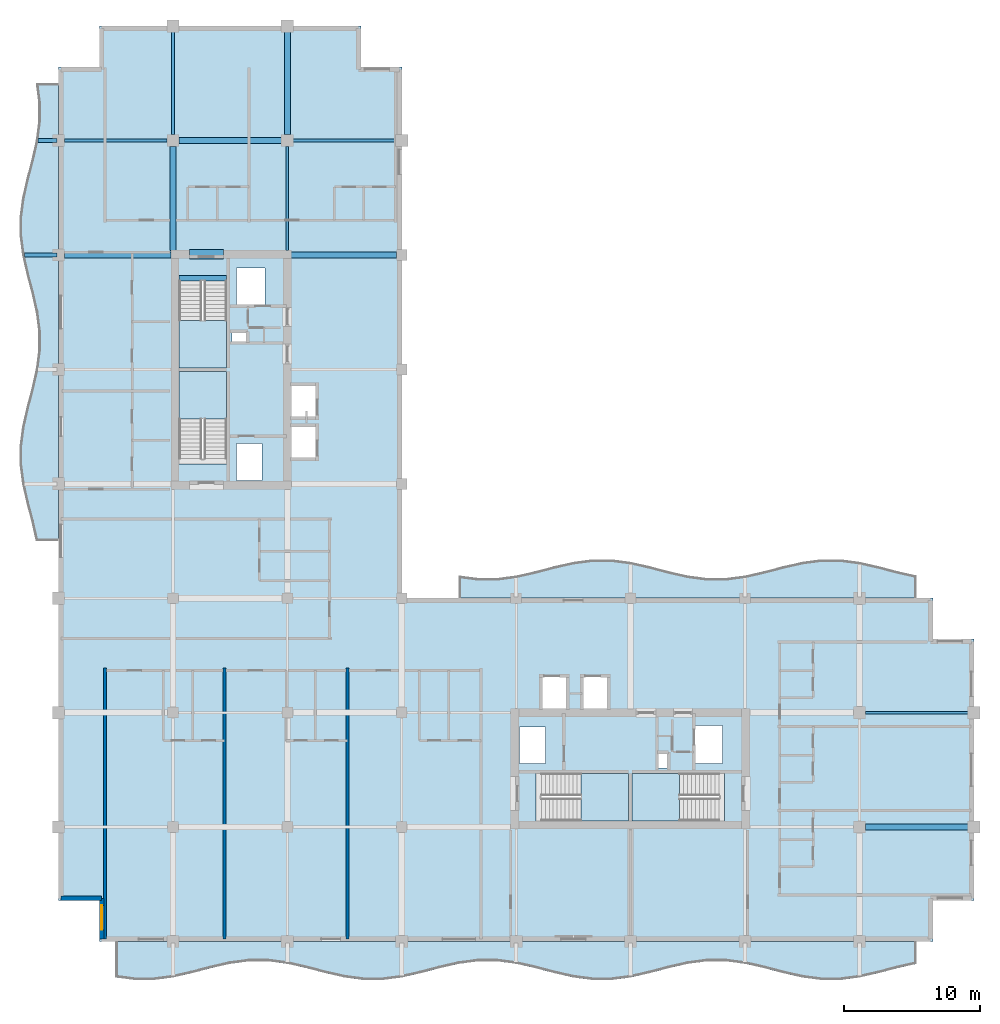
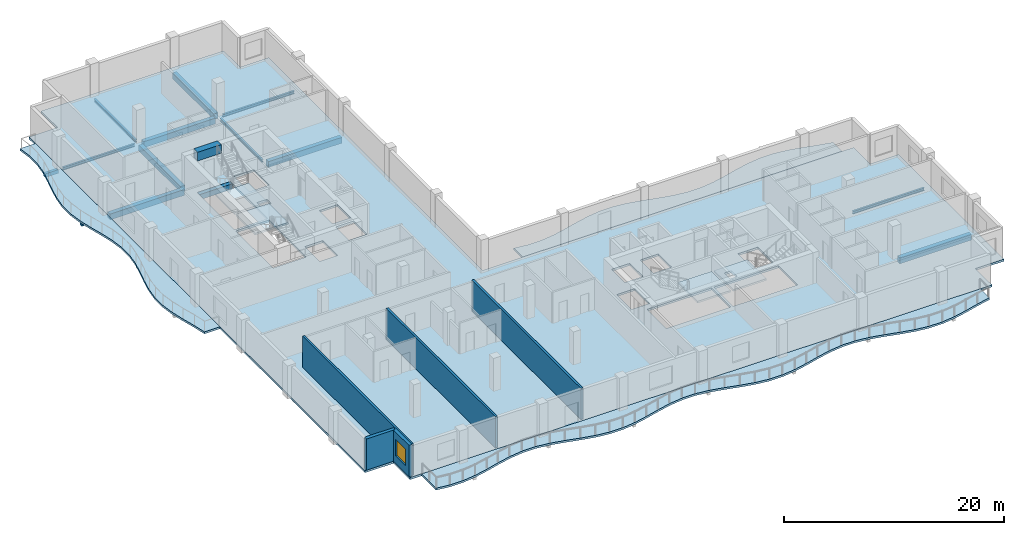
# One storey, part 2 of 12: 15 beams, 8 slabs, 5 walls, 1 window, 1 opening, 4 elements without a shape of their own.
"""IFC4 building model written with IfcOpenShell, lengths in metres."""

from ifc_helpers import new_model, si_unit, direction, frame, frame_2d, origin, origin_2d, place, context, subcontext, project, spatial, polyline, rectangle, i_section, outline, extrude, material, layer, layer_set, material_profile, profile_set, type_object, element, fill, aggregate, save


model = new_model("IFC4")

# Units and contexts
model_context = context("Model", 3, precision=1e-05, world=origin(), true_north=direction((0.0, 1.0)))
body_context = subcontext(model_context, "Body", "Model", "MODEL_VIEW")
ifc_project = project(units=[si_unit("LENGTHUNIT", "METRE"), si_unit("AREAUNIT", "SQUARE_METRE"), si_unit("VOLUMEUNIT", "CUBIC_METRE"), si_unit("PLANEANGLEUNIT", "RADIAN"), si_unit("MASSUNIT", "GRAM", prefix="KILO")], contexts=[model_context])

# Site, building, storey
site_placement = place(None, origin())
site = spatial("IfcSite", under=ifc_project, at=site_placement, CompositionType="ELEMENT")
building_placement = place(site_placement, origin())
building = spatial("IfcBuilding", under=site, at=building_placement, Name="Koriwani Terraces Tower", CompositionType="ELEMENT")
storey_placement = place(building_placement, frame((0.0, 0.0, 241.60009765625)))
storey = spatial("IfcBuildingStorey", under=building, at=storey_placement, Name="L59", CompositionType="ELEMENT", Elevation=241.60009765625)

# Beams
ifc_material_1 = material(Name="Concrete C40/50", Category="concrete")
ifc_material_profile_1 = material_profile(ifc_material_1, rectangle(XDim=0.300048828125, YDim=0.39990234375, at=origin_2d()), Name="Concrete C40/50", Category="LoadBearing")
ifc_profile_set_1 = profile_set([ifc_material_profile_1], Name="Concrete C40/50")
beam_type_1 = type_object("IfcBeamType", Name="BEAM_RC_BALCONY_RIB_300X400", PredefinedType="JOIST", material=ifc_profile_set_1)
beam_1_placement = place(storey_placement, frame((5.907958984375, 58.800048828125, -0.43017578125), z_axis=(1.0, 0.0, 0.0), x_axis=(0.0, 1.0, 0.0)))
element("IfcBeam", 1, at=beam_1_placement, inside=storey, type_object=beam_type_1, Name="L59 Balcony Bracket Rib W-3", PredefinedType="JOIST", context=body_context, shape_type="SweptSolid", body=[
    extrude(rectangle(XDim=0.300048828125, YDim=0.39990234375, at=origin_2d()), origin(), (0.0, 0.0, 1.0), 2.39208984375),
])
beam_2_placement = place(storey_placement, frame((6.912109375, 67.199951171875, -0.43017578125), z_axis=(1.0, 0.0, 0.0), x_axis=(0.0, 1.0, 0.0)))
element("IfcBeam", 2, at=beam_2_placement, inside=storey, type_object=beam_type_1, Name="L59 Balcony Bracket Rib W-4", PredefinedType="JOIST", context=body_context, shape_type="SweptSolid", body=[
    extrude(rectangle(XDim=0.300048828125, YDim=0.39990234375, at=origin_2d()), origin(), (0.0, 0.0, 1.0), 1.387939453125),
])
ifc_material_2 = material(Name="Concrete C60/75", Category="concrete")
ifc_material_profile_2 = material_profile(ifc_material_2, rectangle(XDim=0.699951171875, YDim=0.949951171875, at=origin_2d()), Name="Concrete C60/75", Category="LoadBearing")
ifc_profile_set_2 = profile_set([ifc_material_profile_2], Name="Concrete C60/75")
beam_type_2 = type_object("IfcBeamType", Name="BEAM_RC_COUPLING_700X950", PredefinedType="LINTEL", material=ifc_profile_set_2)
beam_3_placement = place(storey_placement, frame((18.0, 58.85009765625, 2.994873046875), z_axis=(1.0, 0.0, 0.0), x_axis=(0.0, 1.0, 0.0)))
element("IfcBeam", 3, at=beam_3_placement, inside=storey, type_object=beam_type_2, Name="L59 Core Coupling Lintel Beam WN", PredefinedType="LINTEL", context=body_context, shape_type="SweptSolid", body=[
    extrude(rectangle(XDim=0.699951171875, YDim=0.949951171875, at=origin_2d()), origin(), (0.0, 0.0, 1.0), 2.5),
])
ifc_material_profile_3 = material_profile(ifc_material_1, rectangle(XDim=0.39990234375, YDim=0.60009765625, at=origin_2d()), Name="Concrete C40/50", Category="LoadBearing")
ifc_profile_set_3 = profile_set([ifc_material_profile_3], Name="Concrete C40/50")
beam_type_3 = type_object("IfcBeamType", Name="BEAM_RC_GRID_400X600", PredefinedType="BEAM", material=ifc_profile_set_3)
beam_4_placement = place(storey_placement, frame((17.25, 57.094970703125, -0.300048828125), z_axis=(1.0, 0.0, 0.0), x_axis=(0.0, 1.0, 0.0)))
element("IfcBeam", 4, at=beam_4_placement, inside=storey, type_object=beam_type_3, Name="L59 Stairwell Header Trimmer Beam ST-W2", PredefinedType="BEAM", context=body_context, shape_type="SweptSolid", body=[
    extrude(rectangle(XDim=0.39990234375, YDim=0.60009765625, at=origin_2d()), origin(), (0.0, 0.0, 1.0), 3.5),
])
ifc_material_3 = material(Name="Concrete C50/60", Category="concrete")
ifc_material_profile_4 = material_profile(ifc_material_3, rectangle(XDim=0.449951171875, YDim=0.64990234375, at=origin_2d()), Name="Concrete C50/60", Category="LoadBearing")
ifc_profile_set_4 = profile_set([ifc_material_profile_4], Name="Concrete C50/60")
beam_type_4 = type_object("IfcBeamType", Name="BEAM_RC_GRID_450X650", PredefinedType="BEAM", material=ifc_profile_set_4)
beam_5_placement = place(storey_placement, frame((67.6298828125, 16.800048828125, -0.55517578125), z_axis=(1.0, 0.0, 0.0), x_axis=(0.0, 1.0, 0.0)))
element("IfcBeam", 5, at=beam_5_placement, inside=storey, type_object=beam_type_4, Name="L59 Grid Beam C (67.2-75.6m)", PredefinedType="BEAM", context=body_context, shape_type="SweptSolid", body=[
    extrude(rectangle(XDim=0.449951171875, YDim=0.64990234375, at=origin_2d()), origin(), (0.0, 0.0, 1.0), 7.5400390625),
])
beam_6_placement = place(storey_placement, frame((8.830078125, 58.800048828125, -0.55517578125), z_axis=(1.0, 0.0, 0.0), x_axis=(0.0, 1.0, 0.0)))
element("IfcBeam", 6, at=beam_6_placement, inside=storey, type_object=beam_type_4, Name="L59 Grid Beam H (8.4-16.8m)", PredefinedType="BEAM", context=body_context, shape_type="SweptSolid", body=[
    extrude(rectangle(XDim=0.449951171875, YDim=0.64990234375, at=origin_2d()), origin(), (0.0, 0.0, 1.0), 7.83984375),
])
beam_7_placement = place(storey_placement, frame((25.47998046875, 58.800048828125, -0.55517578125), z_axis=(1.0, 0.0, 0.0), x_axis=(0.0, 1.0, 0.0)))
element("IfcBeam", 7, at=beam_7_placement, inside=storey, type_object=beam_type_4, Name="L59 Grid Beam H (25.2-33.6m)", PredefinedType="BEAM", context=body_context, shape_type="SweptSolid", body=[
    extrude(rectangle(XDim=0.449951171875, YDim=0.64990234375, at=origin_2d()), origin(), (0.0, 0.0, 1.0), 7.739990234375),
])
beam_8_placement = place(storey_placement, frame((17.22998046875, 67.199951171875, -0.55517578125), z_axis=(1.0, 0.0, 0.0), x_axis=(0.0, 1.0, 0.0)))
element("IfcBeam", 8, at=beam_8_placement, inside=storey, type_object=beam_type_4, Name="L59 Grid Beam I (16.8-25.2m)", PredefinedType="BEAM", context=body_context, shape_type="SweptSolid", body=[
    extrude(rectangle(XDim=0.449951171875, YDim=0.64990234375, at=origin_2d()), origin(), (0.0, 0.0, 1.0), 7.5400390625),
])
beam_9_placement = place(storey_placement, frame((16.800048828125, 59.1298828125, -0.55517578125), z_axis=(0.0, 1.0, 0.0), x_axis=(-1.0, 0.0, 0.0)))
element("IfcBeam", 9, at=beam_9_placement, inside=storey, type_object=beam_type_4, Name="L59 Grid Beam 3 (58.8-67.2m)", PredefinedType="BEAM", context=body_context, shape_type="SweptSolid", body=[
    extrude(rectangle(XDim=0.449951171875, YDim=0.64990234375, at=origin_2d()), origin(), (0.0, 0.0, 1.0), 7.64013671875),
])
beam_10_placement = place(storey_placement, frame((25.199951171875, 67.6298828125, -0.55517578125), z_axis=(0.0, 1.0, 0.0), x_axis=(-1.0, 0.0, 0.0)))
element("IfcBeam", 10, at=beam_10_placement, inside=storey, type_object=beam_type_4, Name="L59 Grid Beam 4 (67.2-75.6m)", PredefinedType="BEAM", context=body_context, shape_type="SweptSolid", body=[
    extrude(rectangle(XDim=0.449951171875, YDim=0.64990234375, at=origin_2d()), origin(), (0.0, 0.0, 1.0), 7.5400390625),
])
ifc_material_4 = material(Name="Steel ASTM A572 Grade 50", Category="steel")
ifc_material_profile_5 = material_profile(ifc_material_4, i_section(OverallWidth=0.205078125, OverallDepth=0.31005859375, WebThickness=0.009521484375, FlangeThickness=0.016357421875, at=origin_2d()), Name="Steel ASTM A572 Grade 50", Category="LoadBearing")
ifc_profile_set_5 = profile_set([ifc_material_profile_5], Name="Steel ASTM A572 Grade 50")
beam_type_5 = type_object("IfcBeamType", Name="STEEL_BEAM_W310X74", PredefinedType="JOIST", material=ifc_profile_set_5)
for number, where, z_axis, x_axis, name in (
    (11, (67.6298828125, 25.199951171875, -0.385009765625), (1.0, 0.0, 0.0), (0.0, 1.0, 0.0), "L59 Grid Beam D (67.2-75.6m)"),
    (12, (8.830078125, 67.199951171875, -0.385009765625), (1.0, 0.0, 0.0), (0.0, 1.0, 0.0), "L59 Grid Beam I (8.4-16.8m)"),
    (13, (25.6298828125, 67.199951171875, -0.385009765625), (1.0, 0.0, 0.0), (0.0, 1.0, 0.0), "L59 Grid Beam I (25.2-33.6m)"),
    (14, (16.800048828125, 67.6298828125, -0.385009765625), (0.0, 1.0, 0.0), (-1.0, 0.0, 0.0), "L59 Grid Beam 3 (67.2-75.6m)"),
):
    element("IfcBeam", number, at=place(storey_placement, frame(where, z_axis=z_axis, x_axis=x_axis)), inside=storey, type_object=beam_type_5, Name=name, PredefinedType="JOIST", context=body_context, shape_type="SweptSolid", body=[
        extrude(i_section(OverallWidth=0.205078125, OverallDepth=0.31005859375, WebThickness=0.009521484375, FlangeThickness=0.016357421875, at=origin_2d()), origin(), (0.0, 0.0, 1.0), 7.5400390625),
    ])
beam_11_placement = place(storey_placement, frame((25.199951171875, 59.1298828125, -0.385009765625), z_axis=(0.0, 1.0, 0.0), x_axis=(-1.0, 0.0, 0.0)))
element("IfcBeam", 15, at=beam_11_placement, inside=storey, type_object=beam_type_5, Name="L59 Grid Beam 4 (58.8-67.2m)", PredefinedType="JOIST", context=body_context, shape_type="SweptSolid", body=[
    extrude(i_section(OverallWidth=0.205078125, OverallDepth=0.31005859375, WebThickness=0.009521484375, FlangeThickness=0.016357421875, at=origin_2d()), origin(), (0.0, 0.0, 1.0), 7.64013671875),
])

# Slabs
ifc_layer_1 = layer(ifc_material_1, 0.219970703125, Name="Concrete C40/50")
ifc_layer_set_1 = layer_set([ifc_layer_1], Name="Concrete C40/50")
slab_type_1 = type_object("IfcSlabType", Name="SLAB_BALCONY_220", PredefinedType="FLOOR", material=ifc_layer_set_1)
slab_1_placement = place(storey_placement, frame((0.0, 0.0, -0.22021484375)))
element("IfcSlab", 16, at=slab_1_placement, inside=storey, type_object=slab_type_1, Name="L59 Quilted Circular-Arc Balcony (S)", PredefinedType="FLOOR", context=body_context, shape_type="SweptSolid", body=[
    extrude(outline(polyline([(12.60009765625, 8.39990234375), (14.0, 8.39990234375), (15.39990234375, 8.39990234375), (16.800048828125, 8.39990234375), (18.199951171875, 8.39990234375), (19.60009765625, 8.39990234375), (21.0, 8.39990234375), (22.39990234375, 8.39990234375), (23.800048828125, 8.39990234375), (25.199951171875, 8.39990234375), (26.60009765625, 8.39990234375), (28.0, 8.39990234375), (29.39990234375, 8.39990234375), (30.800048828125, 8.39990234375), (32.199951171875, 8.39990234375), (33.60009765625, 8.39990234375), (35.0, 8.39990234375), (36.39990234375, 8.39990234375), (37.800048828125, 8.39990234375), (39.199951171875, 8.39990234375), (40.60009765625, 8.39990234375), (42.0, 8.39990234375), (43.39990234375, 8.39990234375), (44.800048828125, 8.39990234375), (46.199951171875, 8.39990234375), (47.60009765625, 8.39990234375), (49.0, 8.39990234375), (50.39990234375, 8.39990234375), (51.800048828125, 8.39990234375), (53.199951171875, 8.39990234375), (54.60009765625, 8.39990234375), (56.0, 8.39990234375), (57.39990234375, 8.39990234375), (58.800048828125, 8.39990234375), (60.199951171875, 8.39990234375), (61.60009765625, 8.39990234375), (63.0, 8.39990234375), (64.39990234375, 8.39990234375), (65.800048828125, 8.39990234375), (67.199951171875, 8.39990234375), (68.60009765625, 8.39990234375), (70.0, 8.39990234375), (71.39990234375, 8.39990234375), (71.39990234375, 6.761962890625), (70.0, 6.44384765625), (68.60009765625, 6.076171875), (67.199951171875, 5.758056640625), (65.800048828125, 5.57421875), (64.39990234375, 5.57421875), (63.0, 5.758056640625), (61.60009765625, 6.076171875), (60.199951171875, 6.44384765625), (58.800048828125, 6.761962890625), (57.39990234375, 6.94580078125), (56.0, 6.94580078125), (54.60009765625, 6.761962890625), (53.199951171875, 6.44384765625), (51.800048828125, 6.076171875), (50.39990234375, 5.758056640625), (49.0, 5.57421875), (47.60009765625, 5.57421875), (46.199951171875, 5.758056640625), (44.800048828125, 6.076171875), (43.39990234375, 6.44384765625), (42.0, 6.761962890625), (40.60009765625, 6.94580078125), (39.199951171875, 6.94580078125), (37.800048828125, 6.761962890625), (36.39990234375, 6.44384765625), (35.0, 6.076171875), (33.60009765625, 5.758056640625), (32.199951171875, 5.57421875), (30.800048828125, 5.57421875), (29.39990234375, 5.758056640625), (28.0, 6.076171875), (26.60009765625, 6.44384765625), (25.199951171875, 6.761962890625), (23.800048828125, 6.94580078125), (22.39990234375, 6.94580078125), (21.0, 6.761962890625), (19.60009765625, 6.44384765625), (18.199951171875, 6.076171875), (16.800048828125, 5.758056640625), (15.39990234375, 5.57421875), (14.0, 5.57421875), (12.60009765625, 5.758056640625), (12.60009765625, 8.39990234375)])), origin(), (0.0, 0.0, 1.0), 0.22021484375),
])
slab_2_placement = place(storey_placement, frame((0.0, 0.0, -0.22021484375)))
element("IfcSlab", 17, at=slab_2_placement, inside=storey, type_object=slab_type_1, Name="L59 Quilted Circular-Arc Balcony (W)", PredefinedType="FLOOR", context=body_context, shape_type="SweptSolid", body=[
    extrude(outline(polyline([(8.39990234375, 37.800048828125), (8.39990234375, 39.199951171875), (8.39990234375, 40.60009765625), (8.39990234375, 42.0), (8.39990234375, 43.39990234375), (8.39990234375, 44.800048828125), (8.39990234375, 46.199951171875), (8.39990234375, 47.60009765625), (8.39990234375, 49.0), (8.39990234375, 50.39990234375), (8.39990234375, 51.800048828125), (8.39990234375, 53.199951171875), (8.39990234375, 54.60009765625), (8.39990234375, 56.0), (8.39990234375, 57.39990234375), (8.39990234375, 58.800048828125), (8.39990234375, 60.199951171875), (8.39990234375, 61.60009765625), (8.39990234375, 63.0), (8.39990234375, 64.39990234375), (8.39990234375, 65.800048828125), (8.39990234375, 67.199951171875), (8.39990234375, 68.60009765625), (8.39990234375, 70.0), (8.39990234375, 71.39990234375), (6.761962890625, 71.39990234375), (6.94580078125, 70.0), (6.94580078125, 68.60009765625), (6.761962890625, 67.199951171875), (6.44384765625, 65.800048828125), (6.076171875, 64.39990234375), (5.758056640625, 63.0), (5.57421875, 61.60009765625), (5.57421875, 60.199951171875), (5.758056640625, 58.800048828125), (6.076171875, 57.39990234375), (6.44384765625, 56.0), (6.761962890625, 54.60009765625), (6.94580078125, 53.199951171875), (6.94580078125, 51.800048828125), (6.761962890625, 50.39990234375), (6.44384765625, 49.0), (6.076171875, 47.60009765625), (5.758056640625, 46.199951171875), (5.57421875, 44.800048828125), (5.57421875, 43.39990234375), (5.758056640625, 42.0), (6.076171875, 40.60009765625), (6.44384765625, 39.199951171875), (6.761962890625, 37.800048828125), (8.39990234375, 37.800048828125)])), origin(), (0.0, 0.0, 1.0), 0.22021484375),
])
slab_3_placement = place(storey_placement, frame((0.0, 0.0, -0.22021484375)))
element("IfcSlab", 18, at=slab_3_placement, inside=storey, type_object=slab_type_1, Name="L59 Quilted Circular-Arc Balcony (NE)", PredefinedType="FLOOR", context=body_context, shape_type="SweptSolid", body=[
    extrude(outline(polyline([(71.39990234375, 33.60009765625), (70.0, 33.60009765625), (68.60009765625, 33.60009765625), (67.199951171875, 33.60009765625), (65.800048828125, 33.60009765625), (64.39990234375, 33.60009765625), (63.0, 33.60009765625), (61.60009765625, 33.60009765625), (60.199951171875, 33.60009765625), (58.800048828125, 33.60009765625), (57.39990234375, 33.60009765625), (56.0, 33.60009765625), (54.60009765625, 33.60009765625), (53.199951171875, 33.60009765625), (51.800048828125, 33.60009765625), (50.39990234375, 33.60009765625), (49.0, 33.60009765625), (47.60009765625, 33.60009765625), (46.199951171875, 33.60009765625), (44.800048828125, 33.60009765625), (43.39990234375, 33.60009765625), (42.0, 33.60009765625), (40.60009765625, 33.60009765625), (39.199951171875, 33.60009765625), (37.800048828125, 33.60009765625), (37.800048828125, 35.238037109375), (39.199951171875, 35.05419921875), (40.60009765625, 35.05419921875), (42.0, 35.238037109375), (43.39990234375, 35.55615234375), (44.800048828125, 35.923828125), (46.199951171875, 36.241943359375), (47.60009765625, 36.42578125), (49.0, 36.42578125), (50.39990234375, 36.241943359375), (51.800048828125, 35.923828125), (53.199951171875, 35.55615234375), (54.60009765625, 35.238037109375), (56.0, 35.05419921875), (57.39990234375, 35.05419921875), (58.800048828125, 35.238037109375), (60.199951171875, 35.55615234375), (61.60009765625, 35.923828125), (63.0, 36.241943359375), (64.39990234375, 36.42578125), (65.800048828125, 36.42578125), (67.199951171875, 36.241943359375), (68.60009765625, 35.923828125), (70.0, 35.55615234375), (71.39990234375, 35.238037109375), (71.39990234375, 33.60009765625)])), origin(), (0.0, 0.0, 1.0), 0.22021484375),
])
ifc_layer_2 = layer(ifc_material_1, 0.22998046875, Name="Concrete C40/50")
ifc_layer_set_2 = layer_set([ifc_layer_2], Name="Concrete C40/50")
slab_type_2 = type_object("IfcSlabType", Name="SLAB_RES_TYP_230", PredefinedType="FLOOR", material=ifc_layer_set_2)
slab_4_placement = place(storey_placement, frame((0.0, 0.0, -0.22998046875)))
element("IfcSlab", 19, at=slab_4_placement, inside=storey, type_object=slab_type_2, Name="L59 Structural Floor Slab", PredefinedType="FLOOR", context=body_context, shape_type="SweptSolid", body=[
    extrude(outline(polyline([(11.39990234375, 8.39990234375), (72.60009765625, 8.39990234375), (72.60009765625, 11.39990234375), (75.60009765625, 11.39990234375), (75.60009765625, 30.60009765625), (72.60009765625, 30.60009765625), (72.60009765625, 33.60009765625), (33.60009765625, 33.60009765625), (33.60009765625, 72.60009765625), (30.60009765625, 72.60009765625), (30.60009765625, 75.60009765625), (11.39990234375, 75.60009765625), (11.39990234375, 72.60009765625), (8.39990234375, 72.60009765625), (8.39990234375, 11.39990234375), (11.39990234375, 11.39990234375), (11.39990234375, 8.39990234375)]), holes=[polyline([(17.25, 43.4599609375), (20.75, 43.4599609375), (20.75, 50.25), (17.25, 50.25), (17.25, 43.4599609375)]), polyline([(17.25, 50.5), (20.75, 50.5), (20.75, 57.2900390625), (17.25, 57.2900390625), (17.25, 50.5)]), polyline([(43.4599609375, 17.25), (50.25, 17.25), (50.25, 20.75), (43.4599609375, 20.75), (43.4599609375, 17.25)]), polyline([(50.5, 17.25), (57.2900390625, 17.25), (57.2900390625, 20.75), (50.5, 20.75), (50.5, 17.25)]), polyline([(25.449951171875, 43.85009765625), (27.35009765625, 43.85009765625), (27.35009765625, 46.25), (25.449951171875, 46.25), (25.449951171875, 43.85009765625)]), polyline([(25.449951171875, 46.85009765625), (27.35009765625, 46.85009765625), (27.35009765625, 49.25), (25.449951171875, 49.25), (25.449951171875, 46.85009765625)]), polyline([(43.85009765625, 25.449951171875), (45.75, 25.449951171875), (45.75, 27.85009765625), (43.85009765625, 27.85009765625), (43.85009765625, 25.449951171875)]), polyline([(46.85009765625, 25.449951171875), (48.75, 25.449951171875), (48.75, 27.85009765625), (46.85009765625, 27.85009765625), (46.85009765625, 25.449951171875)]), polyline([(21.449951171875, 55.050048828125), (23.550048828125, 55.050048828125), (23.550048828125, 57.85009765625), (21.449951171875, 57.85009765625), (21.449951171875, 55.050048828125)]), polyline([(55.050048828125, 21.449951171875), (57.14990234375, 21.449951171875), (57.14990234375, 24.25), (55.050048828125, 24.25), (55.050048828125, 21.449951171875)]), polyline([(21.449951171875, 42.25), (23.35009765625, 42.25), (23.35009765625, 44.949951171875), (21.449951171875, 44.949951171875), (21.449951171875, 42.25)]), polyline([(42.25, 21.449951171875), (44.14990234375, 21.449951171875), (44.14990234375, 24.14990234375), (42.25, 24.14990234375), (42.25, 21.449951171875)]), polyline([(21.14990234375, 52.419921875), (22.219970703125, 52.419921875), (22.219970703125, 53.179931640625), (21.14990234375, 53.179931640625), (21.14990234375, 52.419921875)]), polyline([(52.419921875, 21.14990234375), (53.179931640625, 21.14990234375), (53.179931640625, 22.219970703125), (52.419921875, 22.219970703125), (52.419921875, 21.14990234375)])]), origin(), (0.0, 0.0, 1.0), 0.22998046875),
])

# Stair, slab
stair_type = type_object("IfcStairType", Name="STAIR_CORE_DOGLEG_1650", PredefinedType="TWO_STRAIGHT_RUN_STAIR", material=ifc_material_1)
stair_1_placement = place(storey_placement, origin())
stair_1 = element("IfcStair", 20, at=stair_1_placement, inside=storey, type_object=stair_type, Name="L59 West Core Exit Stair 1", PredefinedType="HALF_TURN_STAIR")
ifc_layer_3 = layer(ifc_material_1, 0.199951171875, Name="Concrete C40/50")
ifc_layer_set_3 = layer_set([ifc_layer_3], Name="Concrete C40/50")
slab_type_3 = type_object("IfcSlabType", Name="SLAB_STAIR_LANDING_200", PredefinedType="LANDING", material=ifc_layer_set_3)
slab_5_placement = place(storey_placement, frame((0.0, 0.0, 1.64990234375)))
slab_5 = element("IfcSlab", 21, at=slab_5_placement, type_object=slab_type_3, Name="ST-W1 landing 1", PredefinedType="LANDING", context=body_context, shape_type="SweptSolid", body=[
    extrude(outline(polyline([(20.75, 46.75), (20.75, 50.25), (17.25, 50.25), (17.25, 46.75), (20.75, 46.75)])), origin(), (0.0, 0.0, 1.0), 0.199951171875),
])
aggregate(stair_1, [slab_5])

stair_2_placement = place(storey_placement, origin())
stair_2 = element("IfcStair", 22, at=stair_2_placement, inside=storey, type_object=stair_type, Name="L59 West Core Exit Stair 2", PredefinedType="HALF_TURN_STAIR")
slab_6_placement = place(storey_placement, frame((0.0, 0.0, 1.64990234375)))
slab_6 = element("IfcSlab", 23, at=slab_6_placement, type_object=slab_type_3, Name="ST-W2 landing 1", PredefinedType="LANDING", context=body_context, shape_type="SweptSolid", body=[
    extrude(outline(polyline([(17.25, 54.0), (17.25, 50.5), (20.75, 50.5), (20.75, 54.0), (17.25, 54.0)])), origin(), (0.0, 0.0, 1.0), 0.199951171875),
])
aggregate(stair_2, [slab_6])

stair_3_placement = place(storey_placement, origin())
stair_3 = element("IfcStair", 24, at=stair_3_placement, inside=storey, type_object=stair_type, Name="L59 East Core Exit Stair 1", PredefinedType="HALF_TURN_STAIR")
slab_7_placement = place(storey_placement, frame((0.0, 0.0, 1.64990234375)))
slab_7 = element("IfcSlab", 25, at=slab_7_placement, type_object=slab_type_3, Name="ST-E1 landing 1", PredefinedType="LANDING", context=body_context, shape_type="SweptSolid", body=[
    extrude(outline(polyline([(46.75, 17.25), (50.25, 17.25), (50.25, 20.75), (46.75, 20.75), (46.75, 17.25)])), origin(), (0.0, 0.0, 1.0), 0.199951171875),
])
aggregate(stair_3, [slab_7])

stair_4_placement = place(storey_placement, origin())
stair_4 = element("IfcStair", 26, at=stair_4_placement, inside=storey, type_object=stair_type, Name="L59 East Core Exit Stair 2", PredefinedType="HALF_TURN_STAIR")
slab_8_placement = place(storey_placement, frame((0.0, 0.0, 1.64990234375)))
slab_8 = element("IfcSlab", 27, at=slab_8_placement, type_object=slab_type_3, Name="ST-E2 landing 1", PredefinedType="LANDING", context=body_context, shape_type="SweptSolid", body=[
    extrude(outline(polyline([(54.0, 20.75), (50.5, 20.75), (50.5, 17.25), (54.0, 17.25), (54.0, 20.75)])), origin(), (0.0, 0.0, 1.0), 0.199951171875),
])
aggregate(stair_4, [slab_8])

# Walls
ifc_material_5 = material(Name="Autoclaved Cellular Concrete Blockwork", Category="masonry")
ifc_layer_4 = layer(ifc_material_5, 0.219970703125, Name="Autoclaved Cellular Concrete Blockwork")
ifc_layer_set_4 = layer_set([ifc_layer_4], Name="Autoclaved Cellular Concrete Blockwork")
wall_type_1 = type_object("IfcWallType", Name="WALL_DEMISING_220", PredefinedType="PARTITIONING", material=ifc_layer_set_4)
for number, where, z_axis, x_axis, name in (
    (28, (11.800048828125, 8.60009765625, 0.0), (0.0, 0.0, 1.0), (0.0, 1.0, 0.0), "L59 Interior Wall WRDEM-L59-SW-0"),
    (29, (20.60009765625, 8.60009765625, 0.0), (0.0, 0.0, 1.0), (0.0, 1.0, 0.0), "L59 Interior Wall WRDEM-L59-SW-1"),
    (30, (29.60009765625, 8.60009765625, 0.0), (0.0, 0.0, 1.0), (0.0, 1.0, 0.0), "L59 Interior Wall WRDEM-L59-SW-2"),
):
    element("IfcWall", number, at=place(storey_placement, frame(where, z_axis=z_axis, x_axis=x_axis)), inside=storey, type_object=wall_type_1, Name=name, PredefinedType="PARTITIONING", context=body_context, shape_type="SweptSolid", body=[
        extrude(rectangle(XDim=19.8798828125, YDim=0.219970703125, at=frame_2d((9.93994140625, 0.0))), origin(), (0.0, 0.0, 1.0), 3.469970703125),
    ])

# Wall, opening, window
ifc_layer_5 = layer(ifc_material_3, 0.35009765625, Name="Concrete C50/60")
ifc_layer_set_5 = layer_set([ifc_layer_5], Name="Concrete C50/60")
wall_type_2 = type_object("IfcWallType", Name="WALL_EXT_BRUTALIST_350", PredefinedType="STANDARD", material=ifc_layer_set_5)
wall_1_placement = place(storey_placement, frame((11.574951171875, 8.574951171875, 0.0), z_axis=(0.0, 0.0, 1.0), x_axis=(0.0, 1.0, 0.0)))
wall_1 = element("IfcWall", 31, at=wall_1_placement, inside=storey, type_object=wall_type_2, Name="L59 Fair-Faced Brutalist Exterior Wall (N0)", PredefinedType="STANDARD", context=body_context, shape_type="SweptSolid", body=[
    extrude(rectangle(XDim=3.0, YDim=0.35009765625, at=frame_2d((1.5, 0.0))), origin(), (0.0, 0.0, 1.0), 3.469970703125),
])
opening_placement = place(wall_1_placement, frame((0.677490234375, 0.0, 0.85009765625)))
opening = element("IfcOpeningElement", 32, at=opening_placement, cuts=wall_1, Name="Opening W-04", PredefinedType="OPENING", context=body_context, shape_type="SweptSolid", body=[
    extrude(rectangle(XDim=1.800048828125, YDim=1.800048828125, at=frame_2d((0.89990234375, 0.89990234375))), frame((0.0, 0.18505859375, 0.0), z_axis=(0.0, -1.0, 0.0), x_axis=(1.0, 0.0, 0.0)), (0.0, 0.0, 1.0), 0.3701171875),
])
ifc_material_6 = material(Name="Tempered Laminated Low-E Glass", Category="glass")
window_type = type_object("IfcWindowType", Name="WIN_RES_BED_1800X1800", PartitioningType="DOUBLE_PANEL_VERTICAL", PredefinedType="WINDOW", material=ifc_material_6)
window_placement = place(opening_placement, origin())
window = element("IfcWindow", 33, at=window_placement, inside=storey, type_object=window_type, Name="L59 Exterior Window (N0-R32)", OverallHeight=1.800048828125, OverallWidth=1.800048828125, PartitioningType="SINGLE_PANEL", PredefinedType="WINDOW", context=body_context, shape_type="SweptSolid", body=[
    extrude(rectangle(XDim=1.800048828125, YDim=1.800048828125, at=frame_2d((0.89990234375, 0.89990234375))), frame((0.0, 0.030029296875, 0.0), z_axis=(0.0, -1.0, 0.0), x_axis=(1.0, 0.0, 0.0)), (0.0, 0.0, 1.0), 0.06005859375),
])
fill(opening, window)

# Wall
wall_2_placement = place(storey_placement, frame((11.574951171875, 11.574951171875, 0.0), z_axis=(0.0, 0.0, 1.0), x_axis=(-1.0, 0.0, 0.0)))
element("IfcWall", 34, at=wall_2_placement, inside=storey, type_object=wall_type_2, Name="L59 Fair-Faced Brutalist Exterior Wall (N1)", PredefinedType="STANDARD", context=body_context, shape_type="SweptSolid", body=[
    extrude(rectangle(XDim=3.0, YDim=0.35009765625, at=frame_2d((1.5, 0.0))), origin(), (0.0, 0.0, 1.0), 3.469970703125),
])

save(model, "model.ifc")
